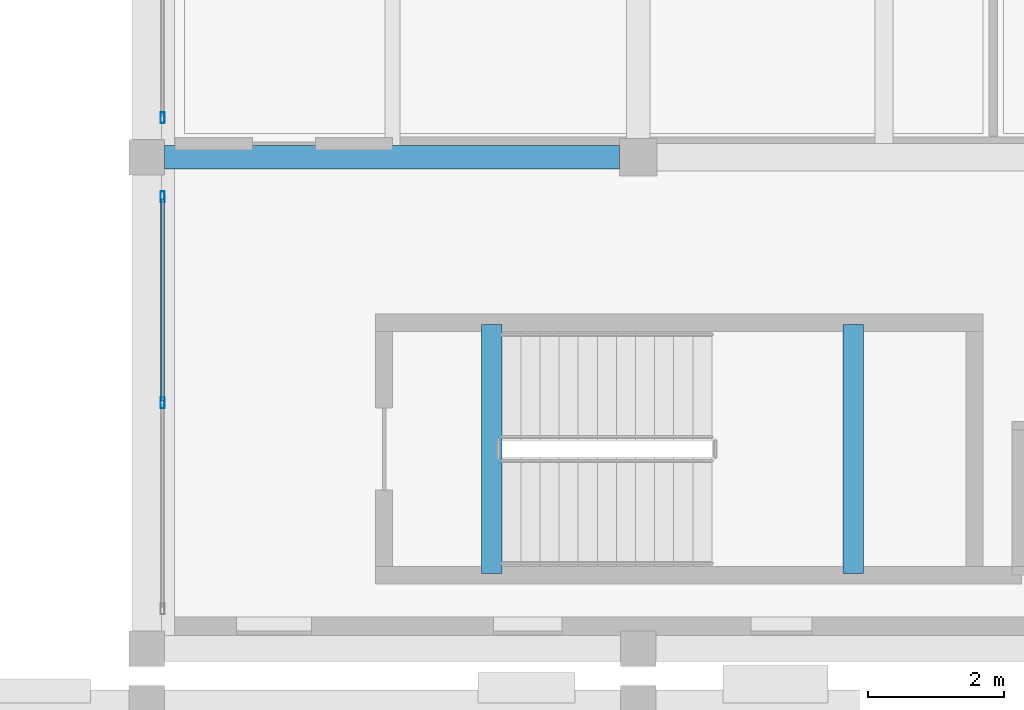
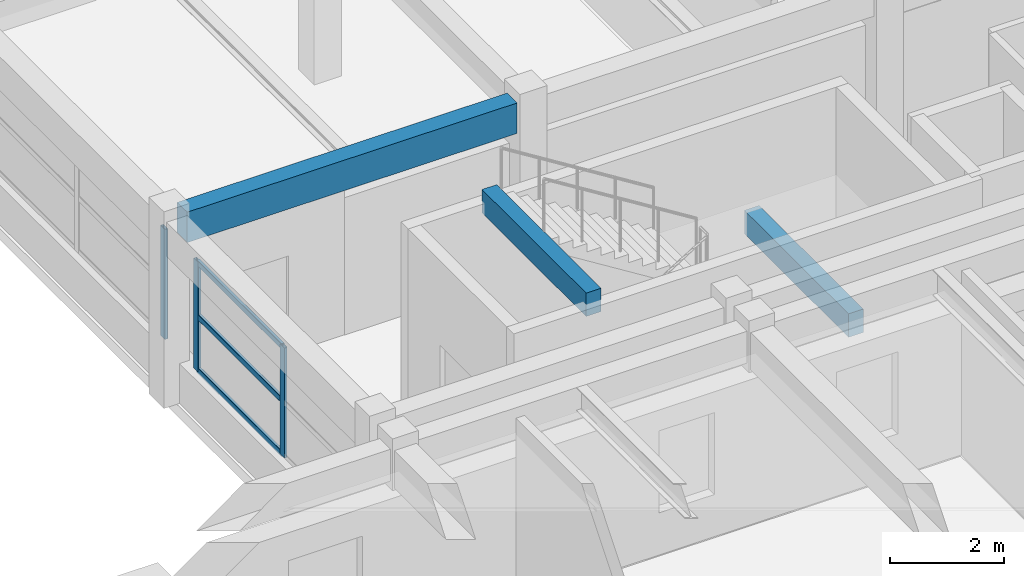
# One storey, part 34 of 67: 6 members, 3 beams, 2 elements without a shape of their own.
"""IFC4 building model written with IfcOpenShell, lengths in metres."""

from ifc_helpers import new_model, si_unit, direction, frame, origin, origin_2d, place, context, subcontext, project, spatial, rectangle, hollow_rectangle, extrude, material, material_profile, profile_set, type_object, element, aggregate, save


model = new_model("IFC4")

# Units and contexts
model_context = context("Model", 3, precision=1e-05, world=origin(), true_north=direction((0.0, 1.0)))
body_context = subcontext(model_context, "Body", "Model", "MODEL_VIEW")
ifc_project = project(units=[si_unit("LENGTHUNIT", "METRE"), si_unit("AREAUNIT", "SQUARE_METRE"), si_unit("VOLUMEUNIT", "CUBIC_METRE"), si_unit("PLANEANGLEUNIT", "RADIAN"), si_unit("MASSUNIT", "GRAM", prefix="KILO")], contexts=[model_context])

# Site, building, storey
site_placement = place(None, origin())
site = spatial("IfcSite", under=ifc_project, at=site_placement, CompositionType="ELEMENT")
building_placement = place(site_placement, origin())
building = spatial("IfcBuilding", under=site, at=building_placement, Name="Bramveld Media Centre", CompositionType="ELEMENT")
storey_placement = place(building_placement, frame((0.0, 0.0, 5.39990234375)))
storey = spatial("IfcBuildingStorey", under=building, at=storey_placement, Name="L01", CompositionType="ELEMENT", Elevation=5.39990234375)

# Beams
ifc_material_1 = material(Name="Concrete C40/50", Category="concrete")
ifc_material_profile_1 = material_profile(ifc_material_1, rectangle(XDim=0.300048828125, YDim=0.5, at=origin_2d()), Name="RC 300x500")
ifc_profile_set_1 = profile_set([ifc_material_profile_1], Name="Concrete C40/50")
beam_type_1 = type_object("IfcBeamType", Name="BM-INT-RC-300x500", PredefinedType="BEAM", material=ifc_profile_set_1)
for number, where, z_axis, x_axis, name in (
    (1, (136.25, 40.300048828125, 3.9501953125), (0.0, 1.0, 0.0), (-1.0, 0.0, 0.0), "ST-08 L02 stairwell landing trimmer beam"),
    (2, (141.550048828125, 40.300048828125, 1.650146484375), (0.0, 1.0, 0.0), (-1.0, 0.0, 0.0), "ST-08 L01 stairwell half-landing support beam"),
):
    element("IfcBeam", number, at=place(storey_placement, frame(where, z_axis=z_axis, x_axis=x_axis)), inside=storey, type_object=beam_type_1, Name=name, PredefinedType="BEAM", context=body_context, shape_type="SweptSolid", body=[
        extrude(rectangle(XDim=0.300048828125, YDim=0.5, at=origin_2d()), origin(), (0.0, 0.0, 1.0), 3.64990234375),
    ])
ifc_material_2 = material(Name="Concrete C40/50", Category="concrete")
ifc_material_profile_2 = material_profile(ifc_material_2, rectangle(XDim=0.35009765625, YDim=0.64990234375, at=origin_2d()), Name="RC 350x650")
ifc_profile_set_2 = profile_set([ifc_material_profile_2], Name="Concrete C40/50")
beam_type_2 = type_object("IfcBeamType", Name="BM-INT-RC-350x650", PredefinedType="BEAM", material=ifc_profile_set_2)
beam_placement = place(storey_placement, frame((131.4599609375, 46.39990234375, 3.635009765625), z_axis=(1.0, 0.0, 0.0), x_axis=(0.0, 1.0, 0.0)))
element("IfcBeam", 3, at=beam_placement, inside=storey, type_object=beam_type_2, Name="V4 L01 girder X-522", PredefinedType="BEAM", context=body_context, shape_type="SweptSolid", body=[
    extrude(rectangle(XDim=0.35009765625, YDim=0.64990234375, at=origin_2d()), origin(), (0.0, 0.0, 1.0), 6.6650390625),
])

# Curtain wall, members
ifc_material_3 = material(Name="Thermally broken anodized bronze aluminium unitized curtain wall with solar-control triple glazing", Category="aluminium")
curtain_wall_type = type_object("IfcCurtainWallType", Name="CW-FACV4-6100x2350", PredefinedType="NOTDEFINED", material=ifc_material_3)
curtain_wall_1_placement = place(storey_placement, origin())
curtain_wall_1 = element("IfcCurtainWall", 4, at=curtain_wall_1_placement, inside=storey, type_object=curtain_wall_type, Name="V4 L01 W curtain wall bay 1", PredefinedType="NOTDEFINED")
ifc_material_4 = material(Name="Thermally broken anodized bronze aluminium EN AW-6063 T6 curtain-wall framing", Category="aluminium")
ifc_material_profile_3 = material_profile(ifc_material_4, hollow_rectangle(XDim=0.06005859375, YDim=0.159912109375, WallThickness=0.00390625, InnerFilletRadius=0.00390625, OuterFilletRadius=0.008056640625, at=origin_2d()), Name="AL-MULL 60x160")
ifc_profile_set_3 = profile_set([ifc_material_profile_3], Name="Thermally broken anodized bronze aluminium EN AW-6063 T6 curtain-wall framing")
member_type_1 = type_object("IfcMemberType", Name="CW-MULL-EXT", PredefinedType="MULLION", material=ifc_profile_set_3)
member_1_placement = place(storey_placement, frame((131.429931640625, 42.800048828125, 0.85009765625), z_axis=(0.0, 0.0, 1.0), x_axis=(-1.0, 0.0, 0.0)))
member_1 = element("IfcMember", 5, at=member_1_placement, type_object=member_type_1, Name="CW-FA-6123 mullion 2", PredefinedType="MULLION", context=body_context, shape_type="SweptSolid", body=[
    extrude(hollow_rectangle(XDim=0.06005859375, YDim=0.159912109375, WallThickness=0.00390625, InnerFilletRadius=0.00390625, OuterFilletRadius=0.008056640625, at=origin_2d()), origin(), (0.0, 0.0, 1.0), 2.35009765625),
])
member_2_placement = place(storey_placement, frame((131.429931640625, 45.820068359375, 0.85009765625), z_axis=(0.0, 0.0, 1.0), x_axis=(-1.0, 0.0, 0.0)))
member_2 = element("IfcMember", 6, at=member_2_placement, type_object=member_type_1, Name="CW-FA-6123 mullion 3", PredefinedType="MULLION", context=body_context, shape_type="SweptSolid", body=[
    extrude(hollow_rectangle(XDim=0.06005859375, YDim=0.159912109375, WallThickness=0.00390625, InnerFilletRadius=0.00390625, OuterFilletRadius=0.008056640625, at=origin_2d()), origin(), (0.0, 0.0, 1.0), 2.35009765625),
])

# Curtain wall, member
curtain_wall_2_placement = place(storey_placement, origin())
curtain_wall_2 = element("IfcCurtainWall", 7, at=curtain_wall_2_placement, inside=storey, type_object=curtain_wall_type, Name="V4 L01 W curtain wall bay 2", PredefinedType="NOTDEFINED")
member_3_placement = place(storey_placement, frame((131.429931640625, 46.97998046875, 0.85009765625), z_axis=(0.0, 0.0, 1.0), x_axis=(-1.0, 0.0, 0.0)))
member_3 = element("IfcMember", 8, at=member_3_placement, type_object=member_type_1, Name="CW-FA-6123 mullion 1", PredefinedType="MULLION", context=body_context, shape_type="SweptSolid", body=[
    extrude(hollow_rectangle(XDim=0.06005859375, YDim=0.159912109375, WallThickness=0.00390625, InnerFilletRadius=0.00390625, OuterFilletRadius=0.008056640625, at=origin_2d()), origin(), (0.0, 0.0, 1.0), 2.35009765625),
])
aggregate(curtain_wall_2, [member_3])

# Member
ifc_material_5 = material(Name="Thermally broken anodized bronze aluminium EN AW-6063 T6 curtain-wall framing", Category="aluminium")
ifc_material_profile_4 = material_profile(ifc_material_5, hollow_rectangle(XDim=0.06005859375, YDim=0.1201171875, WallThickness=0.00341796875, InnerFilletRadius=0.00341796875, OuterFilletRadius=0.007080078125, at=origin_2d()), Name="AL-TRAN 60x120")
ifc_profile_set_4 = profile_set([ifc_material_profile_4], Name="Thermally broken anodized bronze aluminium EN AW-6063 T6 curtain-wall framing")
member_type_2 = type_object("IfcMemberType", Name="CW-TRAN-EXT", PredefinedType="USERDEFINED", material=ifc_profile_set_4)
member_4_placement = place(storey_placement, frame((131.429931640625, 42.830078125, 0.880126953125), z_axis=(0.0, 1.0, 0.0), x_axis=(-1.0, 0.0, 0.0)))
member_4 = element("IfcMember", 9, at=member_4_placement, type_object=member_type_2, Name="CW-FA-6123 transom 2.1", ObjectType="TRANSOM", PredefinedType="USERDEFINED", context=body_context, shape_type="SweptSolid", body=[
    extrude(hollow_rectangle(XDim=0.06005859375, YDim=0.1201171875, WallThickness=0.00341796875, InnerFilletRadius=0.00341796875, OuterFilletRadius=0.007080078125, at=origin_2d()), origin(), (0.0, 0.0, 1.0), 2.9599609375),
])

member_5_placement = place(storey_placement, frame((131.429931640625, 42.830078125, 2.025146484375), z_axis=(0.0, 1.0, 0.0), x_axis=(-1.0, 0.0, 0.0)))
member_5 = element("IfcMember", 10, at=member_5_placement, type_object=member_type_2, Name="CW-FA-6123 transom 2.2", ObjectType="TRANSOM", PredefinedType="USERDEFINED", context=body_context, shape_type="SweptSolid", body=[
    extrude(hollow_rectangle(XDim=0.06005859375, YDim=0.1201171875, WallThickness=0.00341796875, InnerFilletRadius=0.00341796875, OuterFilletRadius=0.007080078125, at=origin_2d()), origin(), (0.0, 0.0, 1.0), 2.9599609375),
])

member_6_placement = place(storey_placement, frame((131.429931640625, 42.830078125, 3.170166015625), z_axis=(0.0, 1.0, 0.0), x_axis=(-1.0, 0.0, 0.0)))
member_6 = element("IfcMember", 11, at=member_6_placement, type_object=member_type_2, Name="CW-FA-6123 transom 2.3", ObjectType="TRANSOM", PredefinedType="USERDEFINED", context=body_context, shape_type="SweptSolid", body=[
    extrude(hollow_rectangle(XDim=0.06005859375, YDim=0.1201171875, WallThickness=0.00341796875, InnerFilletRadius=0.00341796875, OuterFilletRadius=0.007080078125, at=origin_2d()), origin(), (0.0, 0.0, 1.0), 2.9599609375),
])

aggregate(curtain_wall_1, [member_1, member_2, member_4, member_5, member_6])

save(model, "model.ifc")
